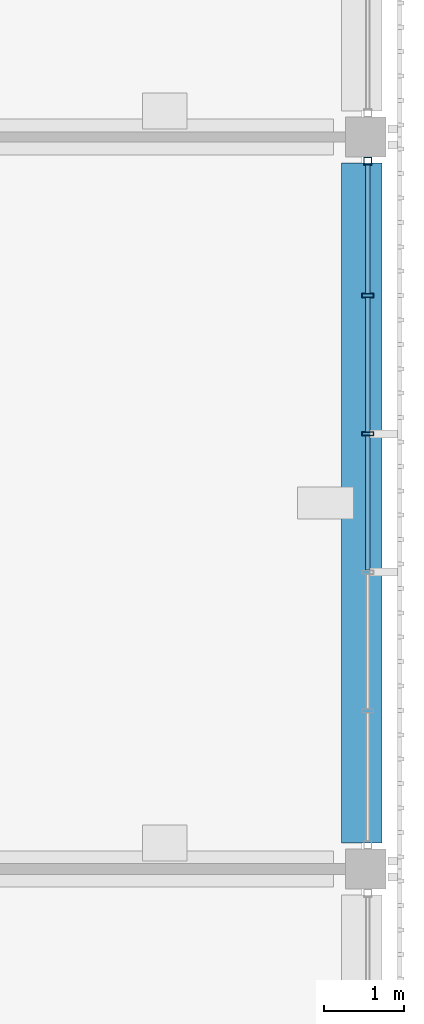
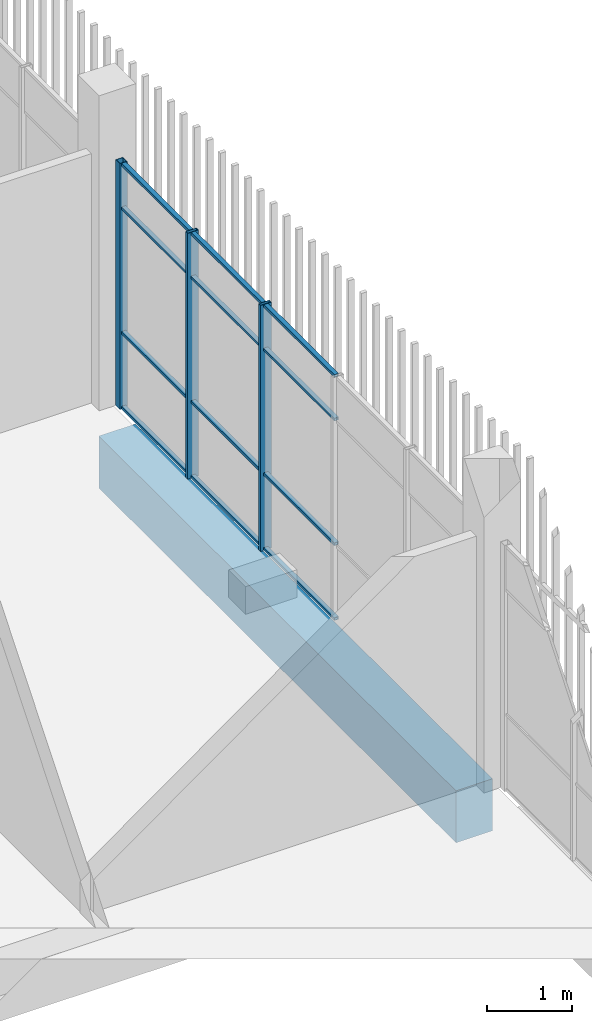
# One storey, part 59 of 139: 15 members, 1 beam, 1 element without a shape of its own.
"""IFC4 building model written with IfcOpenShell, lengths in metres."""

from ifc_helpers import new_model, si_unit, direction, frame, origin, origin_2d, place, context, subcontext, project, spatial, rectangle, hollow_rectangle, extrude, material, layer, layer_set, material_profile, profile_set, type_object, element, aggregate, save


model = new_model("IFC4")

# Units and contexts
model_context = context("Model", 3, precision=1e-05, world=origin(), true_north=direction((0.0, 1.0)))
body_context = subcontext(model_context, "Body", "Model", "MODEL_VIEW")
ifc_project = project(units=[si_unit("LENGTHUNIT", "METRE"), si_unit("AREAUNIT", "SQUARE_METRE"), si_unit("VOLUMEUNIT", "CUBIC_METRE"), si_unit("PLANEANGLEUNIT", "RADIAN"), si_unit("MASSUNIT", "GRAM", prefix="KILO")], contexts=[model_context])

# Site, building, storey
site_placement = place(None, origin())
site = spatial("IfcSite", under=ifc_project, at=site_placement, CompositionType="ELEMENT")
building_placement = place(site_placement, origin())
building = spatial("IfcBuilding", under=site, at=building_placement, Name="Shirokan Park Arena", CompositionType="ELEMENT")
storey_placement = place(building_placement, frame((0.0, 0.0, 15.469970703125)))
storey = spatial("IfcBuildingStorey", under=building, at=storey_placement, Name="L03", CompositionType="ELEMENT", Elevation=15.469970703125)

# Curtain wall, members
ifc_material_1 = material(Name="Steel and glass curtain wall", Category="steel")
ifc_layer = layer(ifc_material_1, 0.14990234375)
ifc_layer_set = layer_set([ifc_layer], Name="Steel and glass curtain wall 150 mm")
curtain_wall_type = type_object("IfcCurtainWallType", Name="Curtain wall exposed bay 150", PredefinedType="NOTDEFINED", material=ifc_layer_set)
curtain_wall_placement = place(storey_placement, origin())
curtain_wall = element("IfcCurtainWall", 1, at=curtain_wall_placement, inside=storey, type_object=curtain_wall_type, Name="Curtain wall east bay 7 L03", PredefinedType="NOTDEFINED")
ifc_material_2 = material(Name="Steel S355", Category="steel")
ifc_material_profile_1 = material_profile(ifc_material_2, hollow_rectangle(XDim=0.10009765625, YDim=0.10009765625, WallThickness=0.006103515625, at=origin_2d()), Name="RHS 100x100x6")
ifc_profile_set_1 = profile_set([ifc_material_profile_1], Name="Steel S355")
member_type_1 = type_object("IfcMemberType", Name="Mullion RHS 100x100x6", PredefinedType="MULLION", material=ifc_profile_set_1)
member_1_placement = place(storey_placement, frame((145.675048828125, 63.39990234375, 0.0), z_axis=(0.0, 0.0, 1.0), x_axis=(-1.0, 0.0, 0.0)))
member_1 = element("IfcMember", 2, at=member_1_placement, type_object=member_type_1, Name="CW1 mullion 6", PredefinedType="MULLION", context=body_context, shape_type="SweptSolid", body=[
    extrude(hollow_rectangle(XDim=0.10009765625, YDim=0.10009765625, WallThickness=0.006103515625, at=origin_2d()), origin(), (0.0, 0.0, 1.0), 3.550048828125),
])
ifc_material_profile_2 = material_profile(ifc_material_2, hollow_rectangle(XDim=0.14990234375, YDim=0.050048828125, WallThickness=0.006103515625, at=origin_2d()), Name="RHS 150x50x6")
ifc_profile_set_2 = profile_set([ifc_material_profile_2], Name="Steel S355")
member_type_2 = type_object("IfcMemberType", Name="Mullion RHS 150x50x6", PredefinedType="MULLION", material=ifc_profile_set_2)
member_2_placement = place(storey_placement, frame((145.675048828125, 60.010009765625, 0.0), z_axis=(0.0, 0.0, 1.0), x_axis=(-1.0, 0.0, 0.0)))
member_2 = element("IfcMember", 3, at=member_2_placement, type_object=member_type_2, Name="CW1 mullion 4", PredefinedType="MULLION", context=body_context, shape_type="SweptSolid", body=[
    extrude(hollow_rectangle(XDim=0.14990234375, YDim=0.050048828125, WallThickness=0.006103515625, at=origin_2d()), origin(), (0.0, 0.0, 1.0), 3.550048828125),
])
member_3_placement = place(storey_placement, frame((145.675048828125, 61.72998046875, 0.0), z_axis=(0.0, 0.0, 1.0), x_axis=(-1.0, 0.0, 0.0)))
member_3 = element("IfcMember", 4, at=member_3_placement, type_object=member_type_2, Name="CW1 mullion 5", PredefinedType="MULLION", context=body_context, shape_type="SweptSolid", body=[
    extrude(hollow_rectangle(XDim=0.14990234375, YDim=0.050048828125, WallThickness=0.006103515625, at=origin_2d()), origin(), (0.0, 0.0, 1.0), 3.550048828125),
])

# Beam
ifc_material_3 = material(Name="Concrete C35", Category="concrete")
ifc_material_profile_3 = material_profile(ifc_material_3, rectangle(XDim=0.5, YDim=0.75, at=origin_2d()), Name="500x750")
ifc_profile_set_3 = profile_set([ifc_material_profile_3], Name="Concrete C35")
beam_type = type_object("IfcBeamType", Name="RC girder 500x750", PredefinedType="BEAM", material=ifc_profile_set_3)
beam_placement = place(storey_placement, frame((145.60009765625, 54.925048828125, -0.675048828125), z_axis=(0.0, 1.0, 0.0), x_axis=(-1.0, 0.0, 0.0)))
element("IfcBeam", 5, at=beam_placement, inside=storey, type_object=beam_type, Name="Girder 17G-17H L03", PredefinedType="BEAM", context=body_context, shape_type="SweptSolid", body=[
    extrude(rectangle(XDim=0.5, YDim=0.75, at=origin_2d()), origin(), (0.0, 0.0, 1.0), 8.449951171875),
])

# Member
ifc_material_profile_4 = material_profile(ifc_material_2, hollow_rectangle(XDim=0.06005859375, YDim=0.0400390625, WallThickness=0.00390625, at=origin_2d()), Name="RHS 60x40x4")
ifc_profile_set_4 = profile_set([ifc_material_profile_4], Name="Steel S355")
member_type_3 = type_object("IfcMemberType", Name="Transom RHS 60x40x4", PredefinedType="MULLION", material=ifc_profile_set_4)
member_4_placement = place(storey_placement, frame((145.675048828125, 58.31494140625, 0.02001953125), z_axis=(0.0, 1.0, 0.0), x_axis=(-1.0, 0.0, 0.0)))
member_4 = element("IfcMember", 6, at=member_4_placement, type_object=member_type_3, Name="CW1 transom 3.1", PredefinedType="MULLION", context=body_context, shape_type="SweptSolid", body=[
    extrude(hollow_rectangle(XDim=0.06005859375, YDim=0.0400390625, WallThickness=0.00390625, at=origin_2d()), origin(), (0.0, 0.0, 1.0), 1.670166015625),
])

member_5_placement = place(storey_placement, frame((145.675048828125, 58.31494140625, 1.10009765625), z_axis=(0.0, 1.0, 0.0), x_axis=(-1.0, 0.0, 0.0)))
member_5 = element("IfcMember", 7, at=member_5_placement, type_object=member_type_3, Name="CW1 transom 3.2", PredefinedType="MULLION", context=body_context, shape_type="SweptSolid", body=[
    extrude(hollow_rectangle(XDim=0.06005859375, YDim=0.0400390625, WallThickness=0.00390625, at=origin_2d()), origin(), (0.0, 0.0, 1.0), 1.670166015625),
])

member_6_placement = place(storey_placement, frame((145.675048828125, 58.31494140625, 2.900146484375), z_axis=(0.0, 1.0, 0.0), x_axis=(-1.0, 0.0, 0.0)))
member_6 = element("IfcMember", 8, at=member_6_placement, type_object=member_type_3, Name="CW1 transom 3.3", PredefinedType="MULLION", context=body_context, shape_type="SweptSolid", body=[
    extrude(hollow_rectangle(XDim=0.06005859375, YDim=0.0400390625, WallThickness=0.00390625, at=origin_2d()), origin(), (0.0, 0.0, 1.0), 1.670166015625),
])

member_7_placement = place(storey_placement, frame((145.675048828125, 58.31494140625, 3.530029296875), z_axis=(0.0, 1.0, 0.0), x_axis=(-1.0, 0.0, 0.0)))
member_7 = element("IfcMember", 9, at=member_7_placement, type_object=member_type_3, Name="CW1 transom 3.4", PredefinedType="MULLION", context=body_context, shape_type="SweptSolid", body=[
    extrude(hollow_rectangle(XDim=0.06005859375, YDim=0.0400390625, WallThickness=0.00390625, at=origin_2d()), origin(), (0.0, 0.0, 1.0), 1.670166015625),
])

member_8_placement = place(storey_placement, frame((145.675048828125, 60.034912109375, 0.02001953125), z_axis=(0.0, 1.0, 0.0), x_axis=(-1.0, 0.0, 0.0)))
member_8 = element("IfcMember", 10, at=member_8_placement, type_object=member_type_3, Name="CW1 transom 4.1", PredefinedType="MULLION", context=body_context, shape_type="SweptSolid", body=[
    extrude(hollow_rectangle(XDim=0.06005859375, YDim=0.0400390625, WallThickness=0.00390625, at=origin_2d()), origin(), (0.0, 0.0, 1.0), 1.670166015625),
])

member_9_placement = place(storey_placement, frame((145.675048828125, 60.034912109375, 1.10009765625), z_axis=(0.0, 1.0, 0.0), x_axis=(-1.0, 0.0, 0.0)))
member_9 = element("IfcMember", 11, at=member_9_placement, type_object=member_type_3, Name="CW1 transom 4.2", PredefinedType="MULLION", context=body_context, shape_type="SweptSolid", body=[
    extrude(hollow_rectangle(XDim=0.06005859375, YDim=0.0400390625, WallThickness=0.00390625, at=origin_2d()), origin(), (0.0, 0.0, 1.0), 1.670166015625),
])

member_10_placement = place(storey_placement, frame((145.675048828125, 60.034912109375, 2.900146484375), z_axis=(0.0, 1.0, 0.0), x_axis=(-1.0, 0.0, 0.0)))
member_10 = element("IfcMember", 12, at=member_10_placement, type_object=member_type_3, Name="CW1 transom 4.3", PredefinedType="MULLION", context=body_context, shape_type="SweptSolid", body=[
    extrude(hollow_rectangle(XDim=0.06005859375, YDim=0.0400390625, WallThickness=0.00390625, at=origin_2d()), origin(), (0.0, 0.0, 1.0), 1.670166015625),
])

member_11_placement = place(storey_placement, frame((145.675048828125, 60.034912109375, 3.530029296875), z_axis=(0.0, 1.0, 0.0), x_axis=(-1.0, 0.0, 0.0)))
member_11 = element("IfcMember", 13, at=member_11_placement, type_object=member_type_3, Name="CW1 transom 4.4", PredefinedType="MULLION", context=body_context, shape_type="SweptSolid", body=[
    extrude(hollow_rectangle(XDim=0.06005859375, YDim=0.0400390625, WallThickness=0.00390625, at=origin_2d()), origin(), (0.0, 0.0, 1.0), 1.670166015625),
])

member_12_placement = place(storey_placement, frame((145.675048828125, 61.7548828125, 0.02001953125), z_axis=(0.0, 1.0, 0.0), x_axis=(-1.0, 0.0, 0.0)))
member_12 = element("IfcMember", 14, at=member_12_placement, type_object=member_type_3, Name="CW1 transom 5.1", PredefinedType="MULLION", context=body_context, shape_type="SweptSolid", body=[
    extrude(hollow_rectangle(XDim=0.06005859375, YDim=0.0400390625, WallThickness=0.00390625, at=origin_2d()), origin(), (0.0, 0.0, 1.0), 1.59521484375),
])

member_13_placement = place(storey_placement, frame((145.675048828125, 61.7548828125, 1.10009765625), z_axis=(0.0, 1.0, 0.0), x_axis=(-1.0, 0.0, 0.0)))
member_13 = element("IfcMember", 15, at=member_13_placement, type_object=member_type_3, Name="CW1 transom 5.2", PredefinedType="MULLION", context=body_context, shape_type="SweptSolid", body=[
    extrude(hollow_rectangle(XDim=0.06005859375, YDim=0.0400390625, WallThickness=0.00390625, at=origin_2d()), origin(), (0.0, 0.0, 1.0), 1.59521484375),
])

member_14_placement = place(storey_placement, frame((145.675048828125, 61.7548828125, 2.900146484375), z_axis=(0.0, 1.0, 0.0), x_axis=(-1.0, 0.0, 0.0)))
member_14 = element("IfcMember", 16, at=member_14_placement, type_object=member_type_3, Name="CW1 transom 5.3", PredefinedType="MULLION", context=body_context, shape_type="SweptSolid", body=[
    extrude(hollow_rectangle(XDim=0.06005859375, YDim=0.0400390625, WallThickness=0.00390625, at=origin_2d()), origin(), (0.0, 0.0, 1.0), 1.59521484375),
])

member_15_placement = place(storey_placement, frame((145.675048828125, 61.7548828125, 3.530029296875), z_axis=(0.0, 1.0, 0.0), x_axis=(-1.0, 0.0, 0.0)))
member_15 = element("IfcMember", 17, at=member_15_placement, type_object=member_type_3, Name="CW1 transom 5.4", PredefinedType="MULLION", context=body_context, shape_type="SweptSolid", body=[
    extrude(hollow_rectangle(XDim=0.06005859375, YDim=0.0400390625, WallThickness=0.00390625, at=origin_2d()), origin(), (0.0, 0.0, 1.0), 1.59521484375),
])

aggregate(curtain_wall, [member_2, member_3, member_1, member_4, member_5, member_6, member_7, member_8, member_9, member_10, member_11, member_12, member_13, member_14, member_15])

save(model, "model.ifc")
